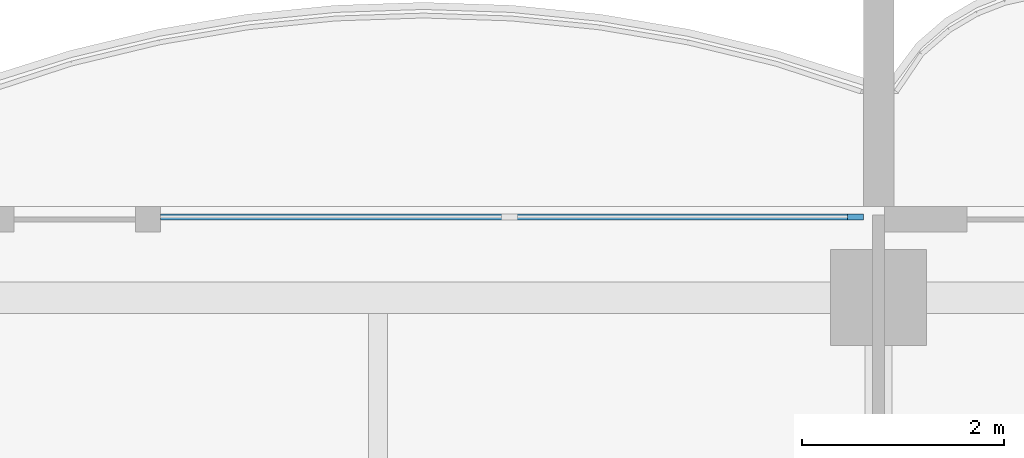
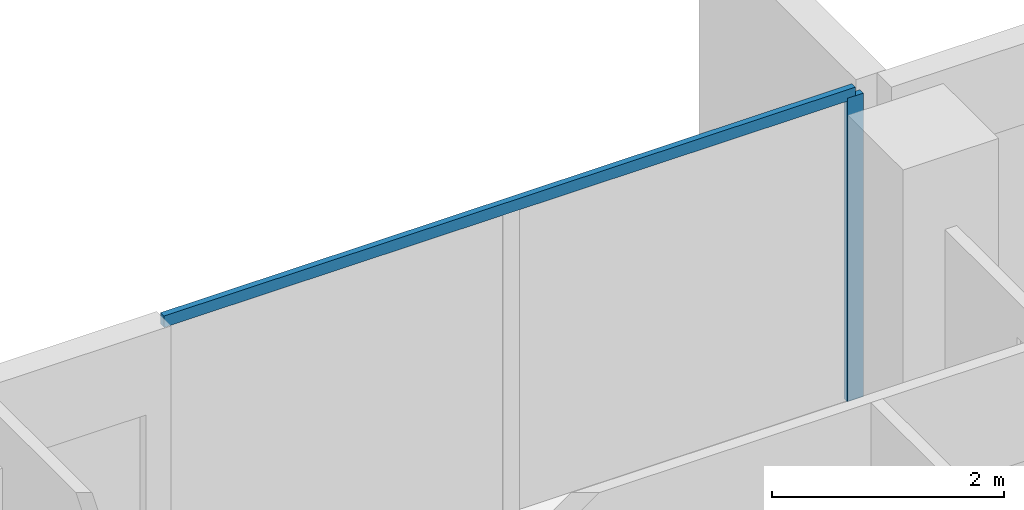
# One storey, part 6 of 17: 2 members, 1 element without a shape of its own.
"""IFC4 building model written with IfcOpenShell, lengths in metres."""

from ifc_helpers import new_model, si_unit, direction, frame, origin, origin_2d, place, context, subcontext, project, spatial, rectangle, extrude, material, material_profile, profile_set, type_object, element, aggregate, save


model = new_model("IFC4")

# Units and contexts
model_context = context("Model", 3, precision=1e-05, world=origin(), true_north=direction((0.0, 1.0)))
body_context = subcontext(model_context, "Body", "Model", "MODEL_VIEW")
ifc_project = project(units=[si_unit("LENGTHUNIT", "METRE"), si_unit("AREAUNIT", "SQUARE_METRE"), si_unit("VOLUMEUNIT", "CUBIC_METRE"), si_unit("PLANEANGLEUNIT", "RADIAN"), si_unit("MASSUNIT", "GRAM", prefix="KILO")], contexts=[model_context])

# Site, building, storey
site_placement = place(None, origin())
site = spatial("IfcSite", under=ifc_project, at=site_placement, CompositionType="ELEMENT")
building_placement = place(site_placement, origin())
building = spatial("IfcBuilding", under=site, at=building_placement, Name="Perihelion Cross Residences", CompositionType="ELEMENT")
storey_placement = place(building_placement, frame((0.0, 0.0, 198.10009765625)))
storey = spatial("IfcBuildingStorey", under=building, at=storey_placement, Name="L49", CompositionType="ELEMENT", Elevation=198.10009765625)

# Curtain wall, members
ifc_material_1 = material(Name="Bronze anodised aluminium, tinted glazing", Category="aluminium")
curtain_wall_type = type_object("IfcCurtainWallType", Name="CW1", PredefinedType="NOTDEFINED", material=ifc_material_1)
curtain_wall_placement = place(storey_placement, origin())
curtain_wall = element("IfcCurtainWall", 1, at=curtain_wall_placement, inside=storey, type_object=curtain_wall_type, Name="Curtain wall CW1 L49 east side north bay 2", PredefinedType="NOTDEFINED")
ifc_material_2 = material(Name="Bronze anodised aluminium", Category="aluminium")
ifc_material_profile_1 = material_profile(ifc_material_2, rectangle(XDim=0.06005859375, YDim=0.159912109375, at=origin_2d()), Name="CW1 mullion")
ifc_profile_set_1 = profile_set([ifc_material_profile_1], Name="Bronze anodised aluminium")
member_type_1 = type_object("IfcMemberType", Name="CW1 mullion", PredefinedType="MULLION", material=ifc_profile_set_1)
member_1_placement = place(storey_placement, frame((17.77001953125, 8.89990234375, 0.0), z_axis=(0.0, 0.0, 1.0), x_axis=(0.0, -1.0, 0.0)))
member_1 = element("IfcMember", 2, at=member_1_placement, type_object=member_type_1, Name="CW1 mullion 1", PredefinedType="MULLION", context=body_context, shape_type="SweptSolid", body=[
    extrude(rectangle(XDim=0.06005859375, YDim=0.159912109375, at=origin_2d()), origin(), (0.0, 0.0, 1.0), 3.18994140625),
])
ifc_material_3 = material(Name="Bronze anodised aluminium", Category="aluminium")
ifc_material_profile_2 = material_profile(ifc_material_3, rectangle(XDim=0.06005859375, YDim=0.1201171875, at=origin_2d()), Name="CW1 transom")
ifc_profile_set_2 = profile_set([ifc_material_profile_2], Name="Bronze anodised aluminium")
member_type_2 = type_object("IfcMemberType", Name="CW1 transom", PredefinedType="USERDEFINED", material=ifc_profile_set_2)
member_2_placement = place(storey_placement, frame((17.77001953125, 8.89990234375, 3.219970703125), z_axis=(-1.0, 0.0, 0.0), x_axis=(0.0, -1.0, 0.0)))
member_2 = element("IfcMember", 3, at=member_2_placement, type_object=member_type_2, Name="CW1 head transom", ObjectType="TRANSOM", PredefinedType="USERDEFINED", context=body_context, shape_type="SweptSolid", body=[
    extrude(rectangle(XDim=0.06005859375, YDim=0.1201171875, at=origin_2d()), origin(), (0.0, 0.0, 1.0), 6.8701171875),
])
aggregate(curtain_wall, [member_1, member_2])

save(model, "model.ifc")
